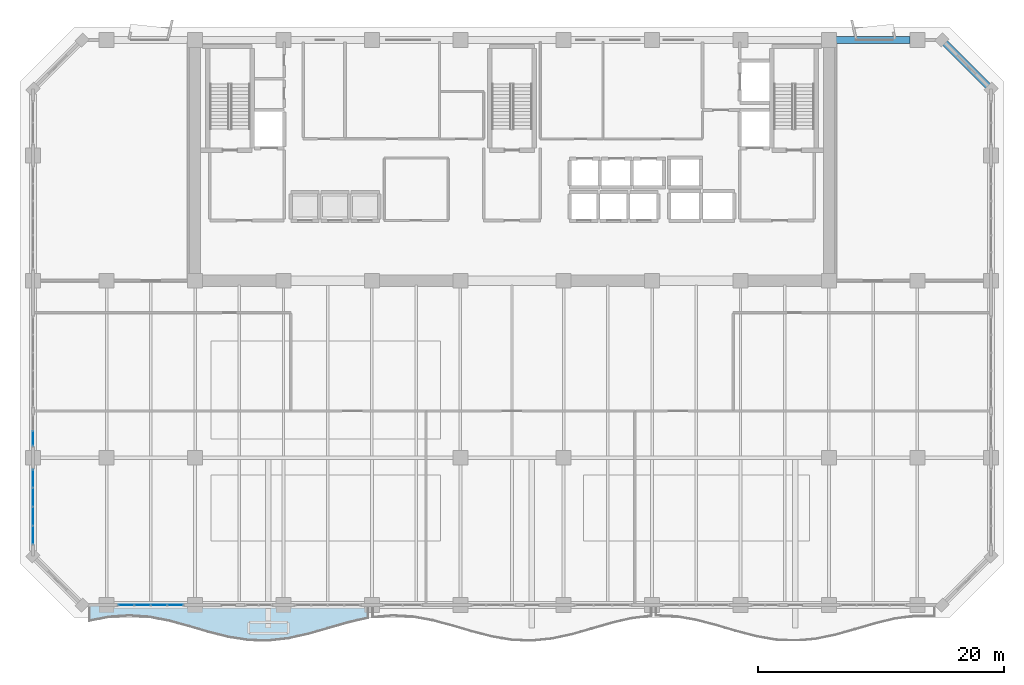
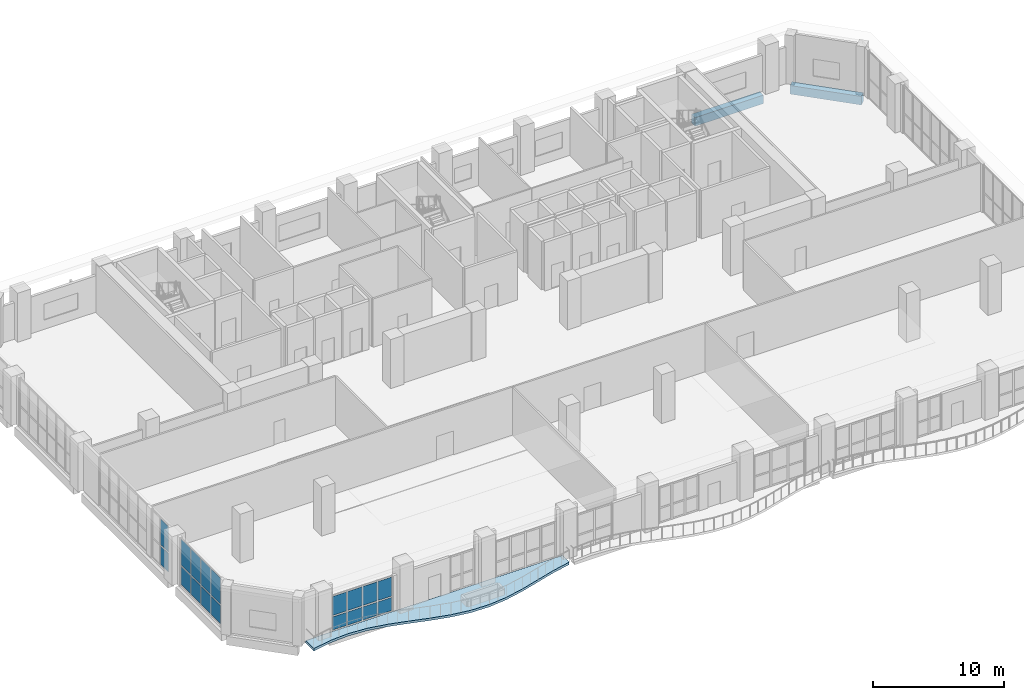
# One storey, part 25 of 37: 18 plates, 2 beams, 1 slab, 3 elements without a shape of their own.
"""IFC4 building model written with IfcOpenShell, lengths in metres."""

from ifc_helpers import new_model, si_unit, direction, frame, origin, origin_2d, place, context, subcontext, project, spatial, polyline, rectangle, outline, extrude, material, layer, layer_set, material_profile, profile_set, type_object, element, aggregate, save


model = new_model("IFC4")

# Units and contexts
model_context = context("Model", 3, precision=1e-05, world=origin(), true_north=direction((0.0, 1.0)))
body_context = subcontext(model_context, "Body", "Model", "MODEL_VIEW")
ifc_project = project(units=[si_unit("LENGTHUNIT", "METRE"), si_unit("AREAUNIT", "SQUARE_METRE"), si_unit("VOLUMEUNIT", "CUBIC_METRE"), si_unit("PLANEANGLEUNIT", "RADIAN"), si_unit("MASSUNIT", "GRAM", prefix="KILO")], contexts=[model_context])

# Site, building, storey
site_placement = place(None, origin())
site = spatial("IfcSite", under=ifc_project, at=site_placement, CompositionType="ELEMENT")
building_placement = place(site_placement, origin())
building = spatial("IfcBuilding", under=site, at=building_placement, Name="Kaelvorn Grand Hotel", CompositionType="ELEMENT")
storey_placement = place(building_placement, frame((0.0, 0.0, 224.35009765625)))
storey = spatial("IfcBuildingStorey", under=building, at=storey_placement, Name="L55", CompositionType="ELEMENT", Elevation=224.35009765625)

# Beams
ifc_material_1 = material(Name="Concrete C50/60", Category="concrete")
ifc_material_profile = material_profile(ifc_material_1, rectangle(XDim=0.550048828125, YDim=0.800048828125, at=origin_2d()), Name="RC SPANDREL 550x800")
ifc_profile_set = profile_set([ifc_material_profile], Name="Concrete C50/60")
beam_type = type_object("IfcBeamType", Name="BM-SP-550x800-C50", PredefinedType="SPANDREL", material=ifc_profile_set)
beam_1_placement = place(storey_placement, frame((68.385009765625, 49.0, -0.64013671875), z_axis=(1.0, 0.0, 0.0), x_axis=(0.0, 1.0, 0.0)))
element("IfcBeam", 1, at=beam_1_placement, inside=storey, type_object=beam_type, Name="L55 North Perimeter Spandrel 10", PredefinedType="SPANDREL", context=body_context, shape_type="SweptSolid", body=[
    extrude(rectangle(XDim=0.550048828125, YDim=0.800048828125, at=origin_2d()), origin(), (0.0, 0.0, 1.0), 6.030029296875),
])
beam_2_placement = place(storey_placement, frame((81.0, 45.0, -0.64013671875), z_axis=(-0.707106781187, 0.707106781187, 0.0), x_axis=(-0.707106781187, -0.707106781187, 0.0)))
element("IfcBeam", 2, at=beam_2_placement, inside=storey, type_object=beam_type, Name="L55 Chamfer Spandrel Beam 2", PredefinedType="SPANDREL", context=body_context, shape_type="SweptSolid", body=[
    extrude(rectangle(XDim=0.550048828125, YDim=0.800048828125, at=origin_2d()), origin(), (0.0, 0.0, 1.0), 5.65673828125),
])

# Curtain wall, plates
ifc_material_2 = material(Name="Anodised Aluminium", Category="aluminium")
ifc_layer_1 = layer(ifc_material_2, 0.179931640625)
ifc_layer_set_1 = layer_set([ifc_layer_1], Name="Anodised Aluminium")
curtain_wall_type = type_object("IfcCurtainWallType", Name="CW-SYS4", PredefinedType="NOTDEFINED", material=ifc_layer_set_1)
curtain_wall_1_placement = place(storey_placement, origin())
curtain_wall_1 = element("IfcCurtainWall", 3, at=curtain_wall_1_placement, inside=storey, type_object=curtain_wall_type, Name="L55 Unitised Curtain Wall CW4 (CW-L55-SB1-01)", PredefinedType="NOTDEFINED")
ifc_material_3 = material(Name="Laminated Low-E Glass", Category="glass")
ifc_layer_2 = layer(ifc_material_3, 0.028076171875)
ifc_layer_set_2 = layer_set([ifc_layer_2], Name="Laminated Low-E Glass")
plate_type = type_object("IfcPlateType", Name="CW-SYS4-PAN", PredefinedType="CURTAIN_PANEL", material=ifc_layer_set_2)
plate_1_placement = place(storey_placement, frame((10.607421875, 3.0, 0.134765625), z_axis=(0.0, 0.0, 1.0), x_axis=(1.0, 0.0, 0.0)))
plate_1 = element("IfcPlate", 4, at=plate_1_placement, type_object=plate_type, Name="CW4 panel 1.1", PredefinedType="CURTAIN_PANEL", context=body_context, shape_type="SweptSolid", body=[
    extrude(rectangle(XDim=1.235107421875, YDim=0.028076171875, at=origin_2d()), origin(), (0.0, 0.0, 1.0), 1.2255859375),
])
plate_2_placement = place(storey_placement, frame((10.607421875, 3.0, 1.495361328125), z_axis=(0.0, 0.0, 1.0), x_axis=(1.0, 0.0, 0.0)))
plate_2 = element("IfcPlate", 5, at=plate_2_placement, type_object=plate_type, Name="CW4 panel 1.2", PredefinedType="CURTAIN_PANEL", context=body_context, shape_type="SweptSolid", body=[
    extrude(rectangle(XDim=1.235107421875, YDim=0.028076171875, at=origin_2d()), origin(), (0.0, 0.0, 1.0), 1.76953125),
])
plate_3_placement = place(storey_placement, frame((11.929931640625, 3.0, 0.134765625), z_axis=(0.0, 0.0, 1.0), x_axis=(1.0, 0.0, 0.0)))
plate_3 = element("IfcPlate", 6, at=plate_3_placement, type_object=plate_type, Name="CW4 panel 2.1", PredefinedType="CURTAIN_PANEL", context=body_context, shape_type="SweptSolid", body=[
    extrude(rectangle(XDim=1.27001953125, YDim=0.028076171875, at=origin_2d()), origin(), (0.0, 0.0, 1.0), 1.2255859375),
])
plate_4_placement = place(storey_placement, frame((11.929931640625, 3.0, 1.495361328125), z_axis=(0.0, 0.0, 1.0), x_axis=(1.0, 0.0, 0.0)))
plate_4 = element("IfcPlate", 7, at=plate_4_placement, type_object=plate_type, Name="CW4 panel 2.2", PredefinedType="CURTAIN_PANEL", context=body_context, shape_type="SweptSolid", body=[
    extrude(rectangle(XDim=1.27001953125, YDim=0.028076171875, at=origin_2d()), origin(), (0.0, 0.0, 1.0), 1.76953125),
])
plate_5_placement = place(storey_placement, frame((13.27001953125, 3.0, 0.134765625), z_axis=(0.0, 0.0, 1.0), x_axis=(1.0, 0.0, 0.0)))
plate_5 = element("IfcPlate", 8, at=plate_5_placement, type_object=plate_type, Name="CW4 panel 3.1", PredefinedType="CURTAIN_PANEL", context=body_context, shape_type="SweptSolid", body=[
    extrude(rectangle(XDim=1.27001953125, YDim=0.028076171875, at=origin_2d()), origin(), (0.0, 0.0, 1.0), 1.2255859375),
])
plate_6_placement = place(storey_placement, frame((13.27001953125, 3.0, 1.495361328125), z_axis=(0.0, 0.0, 1.0), x_axis=(1.0, 0.0, 0.0)))
plate_6 = element("IfcPlate", 9, at=plate_6_placement, type_object=plate_type, Name="CW4 panel 3.2", PredefinedType="CURTAIN_PANEL", context=body_context, shape_type="SweptSolid", body=[
    extrude(rectangle(XDim=1.27001953125, YDim=0.028076171875, at=origin_2d()), origin(), (0.0, 0.0, 1.0), 1.76953125),
])
plate_7_placement = place(storey_placement, frame((14.592529296875, 3.0, 0.134765625), z_axis=(0.0, 0.0, 1.0), x_axis=(1.0, 0.0, 0.0)))
plate_7 = element("IfcPlate", 10, at=plate_7_placement, type_object=plate_type, Name="CW4 panel 4.1", PredefinedType="CURTAIN_PANEL", context=body_context, shape_type="SweptSolid", body=[
    extrude(rectangle(XDim=1.235107421875, YDim=0.028076171875, at=origin_2d()), origin(), (0.0, 0.0, 1.0), 1.2255859375),
])
plate_8_placement = place(storey_placement, frame((14.592529296875, 3.0, 1.495361328125), z_axis=(0.0, 0.0, 1.0), x_axis=(1.0, 0.0, 0.0)))
plate_8 = element("IfcPlate", 11, at=plate_8_placement, type_object=plate_type, Name="CW4 panel 4.2", PredefinedType="CURTAIN_PANEL", context=body_context, shape_type="SweptSolid", body=[
    extrude(rectangle(XDim=1.235107421875, YDim=0.028076171875, at=origin_2d()), origin(), (0.0, 0.0, 1.0), 1.76953125),
])
aggregate(curtain_wall_1, [plate_1, plate_2, plate_3, plate_4, plate_5, plate_6, plate_7, plate_8])

curtain_wall_2_placement = place(storey_placement, origin())
curtain_wall_2 = element("IfcCurtainWall", 12, at=curtain_wall_2_placement, inside=storey, type_object=curtain_wall_type, Name="L55 Unitised Curtain Wall CW4 (CW-L55-W-02)", PredefinedType="NOTDEFINED")
plate_9_placement = place(storey_placement, frame((3.0, 16.577392578125, 0.135009765625), z_axis=(0.0, 0.0, 1.0), x_axis=(0.0, -1.0, 0.0)))
plate_9 = element("IfcPlate", 13, at=plate_9_placement, type_object=plate_type, Name="CW4 panel 2.1", PredefinedType="CURTAIN_PANEL", context=body_context, shape_type="SweptSolid", body=[
    extrude(rectangle(XDim=1.175048828125, YDim=0.028076171875, at=origin_2d()), origin(), (0.0, 0.0, 1.0), 1.69580078125),
])
plate_10_placement = place(storey_placement, frame((3.0, 16.577392578125, 1.9658203125), z_axis=(0.0, 0.0, 1.0), x_axis=(0.0, -1.0, 0.0)))
plate_10 = element("IfcPlate", 14, at=plate_10_placement, type_object=plate_type, Name="CW4 panel 2.2", PredefinedType="CURTAIN_PANEL", context=body_context, shape_type="SweptSolid", body=[
    extrude(rectangle(XDim=1.175048828125, YDim=0.028076171875, at=origin_2d()), origin(), (0.0, 0.0, 1.0), 2.419189453125),
])
aggregate(curtain_wall_2, [plate_9, plate_10])

curtain_wall_3_placement = place(storey_placement, origin())
curtain_wall_3 = element("IfcCurtainWall", 15, at=curtain_wall_3_placement, inside=storey, type_object=curtain_wall_type, Name="L55 Unitised Curtain Wall CW4 (CW-L55-W-01)", PredefinedType="NOTDEFINED")
plate_11_placement = place(storey_placement, frame((3.0, 13.29248046875, 0.135009765625), z_axis=(0.0, 0.0, 1.0), x_axis=(0.0, -1.0, 0.0)))
plate_11 = element("IfcPlate", 16, at=plate_11_placement, type_object=plate_type, Name="CW4 panel 1.1", PredefinedType="CURTAIN_PANEL", context=body_context, shape_type="SweptSolid", body=[
    extrude(rectangle(XDim=1.43505859375, YDim=0.028076171875, at=origin_2d()), origin(), (0.0, 0.0, 1.0), 1.69580078125),
])
plate_12_placement = place(storey_placement, frame((3.0, 13.29248046875, 1.9658203125), z_axis=(0.0, 0.0, 1.0), x_axis=(0.0, -1.0, 0.0)))
plate_12 = element("IfcPlate", 17, at=plate_12_placement, type_object=plate_type, Name="CW4 panel 1.2", PredefinedType="CURTAIN_PANEL", context=body_context, shape_type="SweptSolid", body=[
    extrude(rectangle(XDim=1.43505859375, YDim=0.028076171875, at=origin_2d()), origin(), (0.0, 0.0, 1.0), 2.419189453125),
])
plate_13_placement = place(storey_placement, frame((3.0, 11.77001953125, 0.135009765625), z_axis=(0.0, 0.0, 1.0), x_axis=(0.0, -1.0, 0.0)))
plate_13 = element("IfcPlate", 18, at=plate_13_placement, type_object=plate_type, Name="CW4 panel 2.1", PredefinedType="CURTAIN_PANEL", context=body_context, shape_type="SweptSolid", body=[
    extrude(rectangle(XDim=1.469970703125, YDim=0.028076171875, at=origin_2d()), origin(), (0.0, 0.0, 1.0), 1.69580078125),
])
plate_14_placement = place(storey_placement, frame((3.0, 11.77001953125, 1.9658203125), z_axis=(0.0, 0.0, 1.0), x_axis=(0.0, -1.0, 0.0)))
plate_14 = element("IfcPlate", 19, at=plate_14_placement, type_object=plate_type, Name="CW4 panel 2.2", PredefinedType="CURTAIN_PANEL", context=body_context, shape_type="SweptSolid", body=[
    extrude(rectangle(XDim=1.469970703125, YDim=0.028076171875, at=origin_2d()), origin(), (0.0, 0.0, 1.0), 2.419189453125),
])
plate_15_placement = place(storey_placement, frame((3.0, 10.22998046875, 0.135009765625), z_axis=(0.0, 0.0, 1.0), x_axis=(0.0, -1.0, 0.0)))
plate_15 = element("IfcPlate", 20, at=plate_15_placement, type_object=plate_type, Name="CW4 panel 3.1", PredefinedType="CURTAIN_PANEL", context=body_context, shape_type="SweptSolid", body=[
    extrude(rectangle(XDim=1.469970703125, YDim=0.028076171875, at=origin_2d()), origin(), (0.0, 0.0, 1.0), 1.69580078125),
])
plate_16_placement = place(storey_placement, frame((3.0, 10.22998046875, 1.9658203125), z_axis=(0.0, 0.0, 1.0), x_axis=(0.0, -1.0, 0.0)))
plate_16 = element("IfcPlate", 21, at=plate_16_placement, type_object=plate_type, Name="CW4 panel 3.2", PredefinedType="CURTAIN_PANEL", context=body_context, shape_type="SweptSolid", body=[
    extrude(rectangle(XDim=1.469970703125, YDim=0.028076171875, at=origin_2d()), origin(), (0.0, 0.0, 1.0), 2.419189453125),
])
plate_17_placement = place(storey_placement, frame((3.0, 8.70751953125, 0.135009765625), z_axis=(0.0, 0.0, 1.0), x_axis=(0.0, -1.0, 0.0)))
plate_17 = element("IfcPlate", 22, at=plate_17_placement, type_object=plate_type, Name="CW4 panel 4.1", PredefinedType="CURTAIN_PANEL", context=body_context, shape_type="SweptSolid", body=[
    extrude(rectangle(XDim=1.43505859375, YDim=0.028076171875, at=origin_2d()), origin(), (0.0, 0.0, 1.0), 1.69580078125),
])
plate_18_placement = place(storey_placement, frame((3.0, 8.70751953125, 1.9658203125), z_axis=(0.0, 0.0, 1.0), x_axis=(0.0, -1.0, 0.0)))
plate_18 = element("IfcPlate", 23, at=plate_18_placement, type_object=plate_type, Name="CW4 panel 4.2", PredefinedType="CURTAIN_PANEL", context=body_context, shape_type="SweptSolid", body=[
    extrude(rectangle(XDim=1.43505859375, YDim=0.028076171875, at=origin_2d()), origin(), (0.0, 0.0, 1.0), 2.419189453125),
])
aggregate(curtain_wall_3, [plate_11, plate_12, plate_13, plate_14, plate_15, plate_16, plate_17, plate_18])

# Slab
ifc_material_4 = material(Name="Concrete C40/50", Category="concrete")
ifc_layer_3 = layer(ifc_material_4, 0.219970703125)
ifc_layer_set_3 = layer_set([ifc_layer_3], Name="Concrete C40/50")
slab_type = type_object("IfcSlabType", Name="SLB-BALC-220-C40", PredefinedType="FLOOR", material=ifc_layer_set_3)
slab_placement = place(storey_placement, frame((0.0, 0.0, -0.22021484375)))
element("IfcSlab", 24, at=slab_placement, inside=storey, type_object=slab_type, Name="L55 Scalloped Wave Balcony Slab 1", PredefinedType="FLOOR", context=body_context, shape_type="SweptSolid", body=[
    extrude(outline(polyline([(7.60009765625, 1.7275390625), (9.218994140625, 2.0380859375), (10.838134765625, 2.14990234375), (12.45703125, 2.03857421875), (14.076171875, 1.728515625), (15.6953125, 1.286865234375), (17.314208984375, 0.809814453125), (18.933349609375, 0.401611328125), (20.552490234375, 0.15087890625), (22.17138671875, 0.1123046875), (23.79052734375, 0.294189453125), (25.409423828125, 0.656982421875), (27.028564453125, 1.12158203125), (28.647705078125, 1.587158203125), (30.2666015625, 1.951904296875), (30.2666015625, 3.0), (7.60009765625, 3.0), (7.60009765625, 1.7275390625)])), origin(), (0.0, 0.0, 1.0), 0.22021484375),
])

save(model, "model.ifc")
